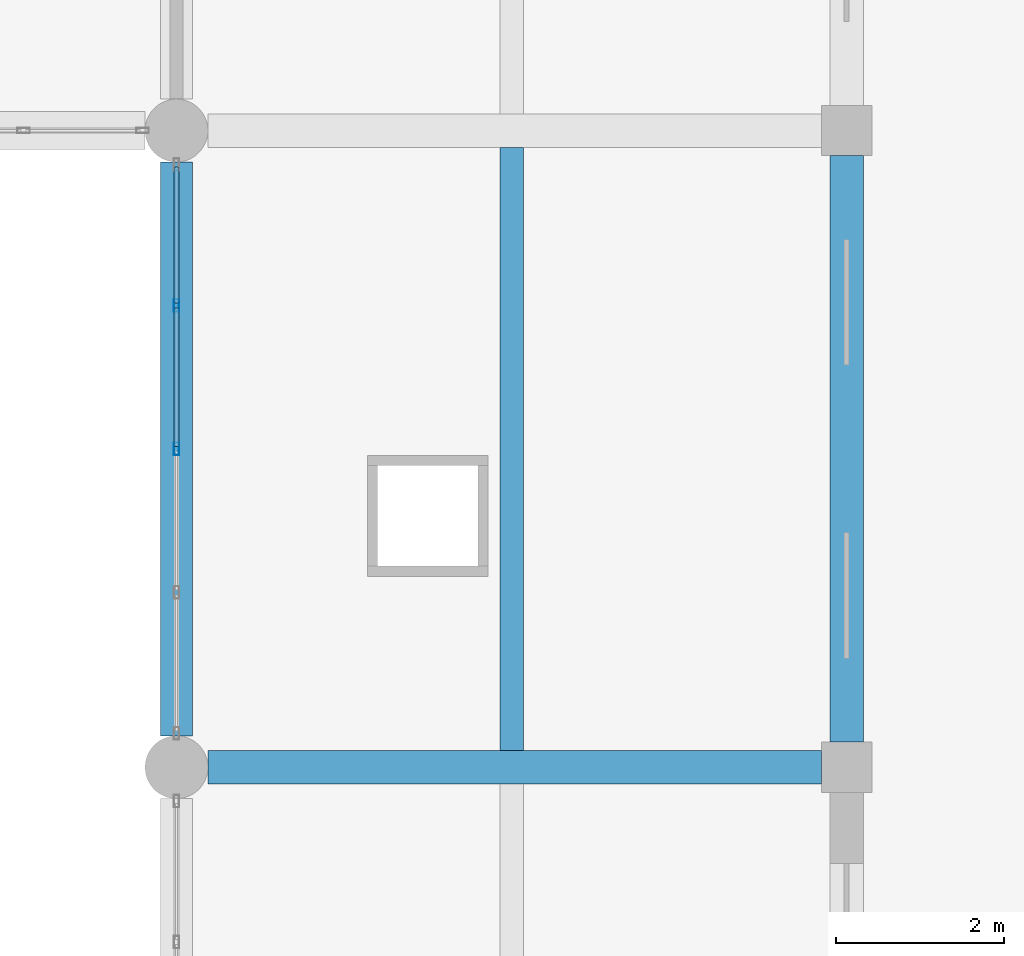
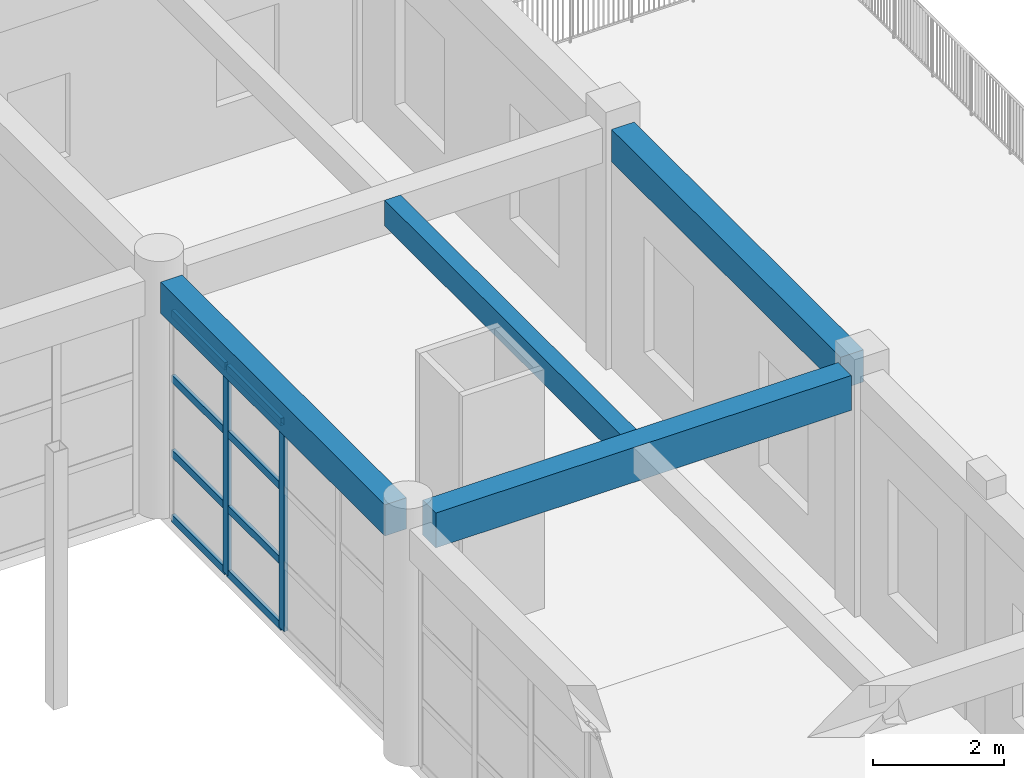
# One storey, part 55 of 101: 10 members, 4 beams, 1 element without a shape of its own.
"""IFC4 building model written with IfcOpenShell, lengths in metres."""

from ifc_helpers import new_model, si_unit, direction, frame, origin, origin_2d, place, context, subcontext, project, spatial, rectangle, hollow_rectangle, extrude, material, material_profile, profile_set, type_object, element, aggregate, save


model = new_model("IFC4")

# Units and contexts
model_context = context("Model", 3, precision=1e-05, world=origin(), true_north=direction((0.0, 1.0)))
body_context = subcontext(model_context, "Body", "Model", "MODEL_VIEW")
ifc_project = project(units=[si_unit("LENGTHUNIT", "METRE"), si_unit("AREAUNIT", "SQUARE_METRE"), si_unit("VOLUMEUNIT", "CUBIC_METRE"), si_unit("PLANEANGLEUNIT", "RADIAN"), si_unit("MASSUNIT", "GRAM", prefix="KILO")], contexts=[model_context])

# Site, building, storey
site_placement = place(None, origin())
site = spatial("IfcSite", under=ifc_project, at=site_placement, CompositionType="ELEMENT")
building_placement = place(site_placement, origin())
building = spatial("IfcBuilding", under=site, at=building_placement, Name="Zantavel Square City Hall", CompositionType="ELEMENT")
storey_placement = place(building_placement, frame((0.0, 0.0, 5.39990234375)))
storey = spatial("IfcBuildingStorey", under=building, at=storey_placement, Name="L02", CompositionType="ELEMENT", Elevation=5.39990234375)

# Beam
ifc_material_1 = material(Name="Concrete C35/45", Category="concrete")
ifc_material_profile_1 = material_profile(ifc_material_1, rectangle(XDim=0.3798828125, YDim=0.580078125, at=origin_2d()), Name="RC 380x580")
ifc_profile_set_1 = profile_set([ifc_material_profile_1], Name="Concrete C35/45")
beam_type_1 = type_object("IfcBeamType", Name="Annex Secondary Beam RC 380x580 C35/45", PredefinedType="BEAM", material=ifc_profile_set_1)
beam_1_placement = place(storey_placement, frame((152.0, 61.175048828125, 4.16015625), z_axis=(0.0, 1.0, 0.0), x_axis=(-1.0, 0.0, 0.0)))
element("IfcBeam", 1, at=beam_1_placement, inside=storey, type_object=beam_type_1, Name="L02 Beam BMY-L02-1520-0608", PredefinedType="BEAM", context=body_context, shape_type="SweptSolid", body=[
    extrude(rectangle(XDim=0.3798828125, YDim=0.580078125, at=origin_2d()), origin(), (0.0, 0.0, 1.0), 6.849853515625),
])

# Curtain wall, members
ifc_material_2 = material(Name="Anodised aluminium 6063-T6", Category="aluminium")
curtain_wall_type = type_object("IfcCurtainWallType", Name="Curtain Wall CRT 6850x3870", PredefinedType="USERDEFINED", material=ifc_material_2)
curtain_wall_placement = place(storey_placement, origin())
curtain_wall = element("IfcCurtainWall", 2, at=curtain_wall_placement, inside=storey, type_object=curtain_wall_type, Name="L02 Glazed Curtain Wall CW-L02-058", ObjectType="GLAZED CURTAIN WALL", PredefinedType="USERDEFINED")
ifc_material_profile_2 = material_profile(ifc_material_2, hollow_rectangle(XDim=0.06494140625, YDim=0.14990234375, WallThickness=0.00390625, at=origin_2d()), Name="ALU 65x150x4")
ifc_profile_set_2 = profile_set([ifc_material_profile_2], Name="Anodised aluminium 6063-T6")
member_type_1 = type_object("IfcMemberType", Name="CW Mullion ALU 65x150x4", PredefinedType="MULLION", material=ifc_profile_set_2)
member_1_placement = place(storey_placement, frame((152.0, 64.60009765625, 0.0), z_axis=(0.0, 0.0, 1.0), x_axis=(-1.0, 0.0, 0.0)))
member_1 = element("IfcMember", 3, at=member_1_placement, type_object=member_type_1, Name="CW-058 mullion 3", PredefinedType="MULLION", context=body_context, shape_type="SweptSolid", body=[
    extrude(hollow_rectangle(XDim=0.06494140625, YDim=0.14990234375, WallThickness=0.00390625, at=origin_2d()), origin(), (0.0, 0.0, 1.0), 3.8701171875),
])
member_2_placement = place(storey_placement, frame((152.0, 66.3125, 0.0), z_axis=(0.0, 0.0, 1.0), x_axis=(-1.0, 0.0, 0.0)))
member_2 = element("IfcMember", 4, at=member_2_placement, type_object=member_type_1, Name="CW-058 mullion 4", PredefinedType="MULLION", context=body_context, shape_type="SweptSolid", body=[
    extrude(hollow_rectangle(XDim=0.06494140625, YDim=0.14990234375, WallThickness=0.00390625, at=origin_2d()), origin(), (0.0, 0.0, 1.0), 3.8701171875),
])
ifc_material_profile_3 = material_profile(ifc_material_2, hollow_rectangle(XDim=0.06005859375, YDim=0.139892578125, WallThickness=0.00390625, at=origin_2d()), Name="ALU 60x140x4")
ifc_profile_set_3 = profile_set([ifc_material_profile_3], Name="Anodised aluminium 6063-T6")
member_type_2 = type_object("IfcMemberType", Name="CW Transom ALU 60x140x4", PredefinedType="USERDEFINED", material=ifc_profile_set_3)
member_3_placement = place(storey_placement, frame((152.0, 64.6298828125, 0.030029296875), z_axis=(0.0, 1.0, 0.0), x_axis=(-1.0, 0.0, 0.0)))
member_3 = element("IfcMember", 5, at=member_3_placement, type_object=member_type_2, Name="CW-058 transom 3.1", ObjectType="TRANSOM", PredefinedType="USERDEFINED", context=body_context, shape_type="SweptSolid", body=[
    extrude(hollow_rectangle(XDim=0.06005859375, YDim=0.139892578125, WallThickness=0.00390625, at=origin_2d()), origin(), (0.0, 0.0, 1.0), 1.652587890625),
])
member_4_placement = place(storey_placement, frame((152.0, 64.6298828125, 1.238037109375), z_axis=(0.0, 1.0, 0.0), x_axis=(-1.0, 0.0, 0.0)))
member_4 = element("IfcMember", 6, at=member_4_placement, type_object=member_type_2, Name="CW-058 transom 3.2", ObjectType="TRANSOM", PredefinedType="USERDEFINED", context=body_context, shape_type="SweptSolid", body=[
    extrude(hollow_rectangle(XDim=0.06005859375, YDim=0.139892578125, WallThickness=0.00390625, at=origin_2d()), origin(), (0.0, 0.0, 1.0), 1.652587890625),
])
member_5_placement = place(storey_placement, frame((152.0, 64.6298828125, 2.632080078125), z_axis=(0.0, 1.0, 0.0), x_axis=(-1.0, 0.0, 0.0)))
member_5 = element("IfcMember", 7, at=member_5_placement, type_object=member_type_2, Name="CW-058 transom 3.3", ObjectType="TRANSOM", PredefinedType="USERDEFINED", context=body_context, shape_type="SweptSolid", body=[
    extrude(hollow_rectangle(XDim=0.06005859375, YDim=0.139892578125, WallThickness=0.00390625, at=origin_2d()), origin(), (0.0, 0.0, 1.0), 1.652587890625),
])
member_6_placement = place(storey_placement, frame((152.0, 64.6298828125, 3.840087890625), z_axis=(0.0, 1.0, 0.0), x_axis=(-1.0, 0.0, 0.0)))
member_6 = element("IfcMember", 8, at=member_6_placement, type_object=member_type_2, Name="CW-058 transom 3.4", ObjectType="TRANSOM", PredefinedType="USERDEFINED", context=body_context, shape_type="SweptSolid", body=[
    extrude(hollow_rectangle(XDim=0.06005859375, YDim=0.139892578125, WallThickness=0.00390625, at=origin_2d()), origin(), (0.0, 0.0, 1.0), 1.652587890625),
])
member_7_placement = place(storey_placement, frame((152.0, 66.342529296875, 0.030029296875), z_axis=(0.0, 1.0, 0.0), x_axis=(-1.0, 0.0, 0.0)))
member_7 = element("IfcMember", 9, at=member_7_placement, type_object=member_type_2, Name="CW-058 transom 4.1", ObjectType="TRANSOM", PredefinedType="USERDEFINED", context=body_context, shape_type="SweptSolid", body=[
    extrude(hollow_rectangle(XDim=0.06005859375, YDim=0.139892578125, WallThickness=0.00390625, at=origin_2d()), origin(), (0.0, 0.0, 1.0), 1.62255859375),
])
member_8_placement = place(storey_placement, frame((152.0, 66.342529296875, 1.238037109375), z_axis=(0.0, 1.0, 0.0), x_axis=(-1.0, 0.0, 0.0)))
member_8 = element("IfcMember", 10, at=member_8_placement, type_object=member_type_2, Name="CW-058 transom 4.2", ObjectType="TRANSOM", PredefinedType="USERDEFINED", context=body_context, shape_type="SweptSolid", body=[
    extrude(hollow_rectangle(XDim=0.06005859375, YDim=0.139892578125, WallThickness=0.00390625, at=origin_2d()), origin(), (0.0, 0.0, 1.0), 1.62255859375),
])
member_9_placement = place(storey_placement, frame((152.0, 66.342529296875, 2.632080078125), z_axis=(0.0, 1.0, 0.0), x_axis=(-1.0, 0.0, 0.0)))
member_9 = element("IfcMember", 11, at=member_9_placement, type_object=member_type_2, Name="CW-058 transom 4.3", ObjectType="TRANSOM", PredefinedType="USERDEFINED", context=body_context, shape_type="SweptSolid", body=[
    extrude(hollow_rectangle(XDim=0.06005859375, YDim=0.139892578125, WallThickness=0.00390625, at=origin_2d()), origin(), (0.0, 0.0, 1.0), 1.62255859375),
])
member_10_placement = place(storey_placement, frame((152.0, 66.342529296875, 3.840087890625), z_axis=(0.0, 1.0, 0.0), x_axis=(-1.0, 0.0, 0.0)))
member_10 = element("IfcMember", 12, at=member_10_placement, type_object=member_type_2, Name="CW-058 transom 4.4", ObjectType="TRANSOM", PredefinedType="USERDEFINED", context=body_context, shape_type="SweptSolid", body=[
    extrude(hollow_rectangle(XDim=0.06005859375, YDim=0.139892578125, WallThickness=0.00390625, at=origin_2d()), origin(), (0.0, 0.0, 1.0), 1.62255859375),
])
aggregate(curtain_wall, [member_1, member_2, member_3, member_4, member_5, member_6, member_7, member_8, member_9, member_10])

# Beams
ifc_material_profile_4 = material_profile(ifc_material_1, rectangle(XDim=0.39990234375, YDim=0.64990234375, at=origin_2d()), Name="RC 400x650")
ifc_profile_set_4 = profile_set([ifc_material_profile_4], Name="Concrete C35/45")
beam_type_2 = type_object("IfcBeamType", Name="Frame Beam RC 400x650 C35/45", PredefinedType="BEAM", material=ifc_profile_set_4)
beam_2_placement = place(storey_placement, frame((152.375, 60.800048828125, 4.125), z_axis=(1.0, 0.0, 0.0), x_axis=(0.0, 1.0, 0.0)))
element("IfcBeam", 13, at=beam_2_placement, inside=storey, type_object=beam_type_2, Name="L02 Girder BMX-L02-1520-0608", PredefinedType="BEAM", context=body_context, shape_type="SweptSolid", body=[
    extrude(rectangle(XDim=0.39990234375, YDim=0.64990234375, at=origin_2d()), origin(), (0.0, 0.0, 1.0), 7.324951171875),
])
ifc_material_profile_5 = material_profile(ifc_material_1, rectangle(XDim=0.39990234375, YDim=0.60009765625, at=origin_2d()), Name="RC 400x600")
ifc_profile_set_5 = profile_set([ifc_material_profile_5], Name="Concrete C35/45")
beam_type_3 = type_object("IfcBeamType", Name="Perimeter Spandrel RC 400x600 C35/45", PredefinedType="SPANDREL", material=ifc_profile_set_5)
beam_3_placement = place(storey_placement, frame((160.0, 61.10009765625, 4.150146484375), z_axis=(0.0, 1.0, 0.0), x_axis=(-1.0, 0.0, 0.0)))
element("IfcBeam", 14, at=beam_3_placement, inside=storey, type_object=beam_type_3, Name="L02 Beam BMY-L02-1600-0608", PredefinedType="SPANDREL", context=body_context, shape_type="SweptSolid", body=[
    extrude(rectangle(XDim=0.39990234375, YDim=0.60009765625, at=origin_2d()), origin(), (0.0, 0.0, 1.0), 7.0),
])
ifc_material_profile_6 = material_profile(ifc_material_1, rectangle(XDim=0.280029296875, YDim=0.47998046875, at=origin_2d()), Name="RC 280x480")
ifc_profile_set_6 = profile_set([ifc_material_profile_6], Name="Concrete C35/45")
beam_type_4 = type_object("IfcBeamType", Name="Terrace Deck Joist RC 280x480 C35/45", PredefinedType="JOIST", material=ifc_profile_set_6)
beam_4_placement = place(storey_placement, frame((156.0, 61.0, 4.210205078125), z_axis=(0.0, 1.0, 0.0), x_axis=(-1.0, 0.0, 0.0)))
element("IfcBeam", 15, at=beam_4_placement, inside=storey, type_object=beam_type_4, Name="L02 Floor Joist JST-L02-1560-0608", PredefinedType="JOIST", context=body_context, shape_type="SweptSolid", body=[
    extrude(rectangle(XDim=0.280029296875, YDim=0.47998046875, at=origin_2d()), origin(), (0.0, 0.0, 1.0), 7.199951171875),
])

save(model, "model.ifc")
